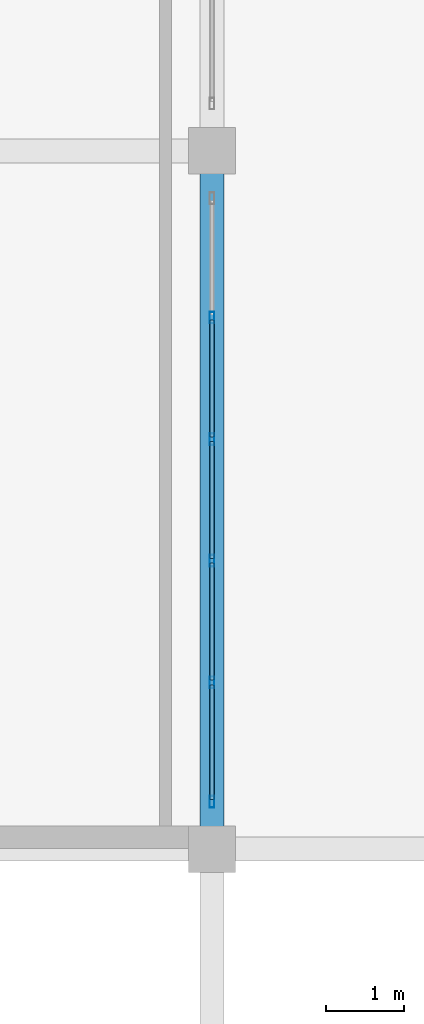
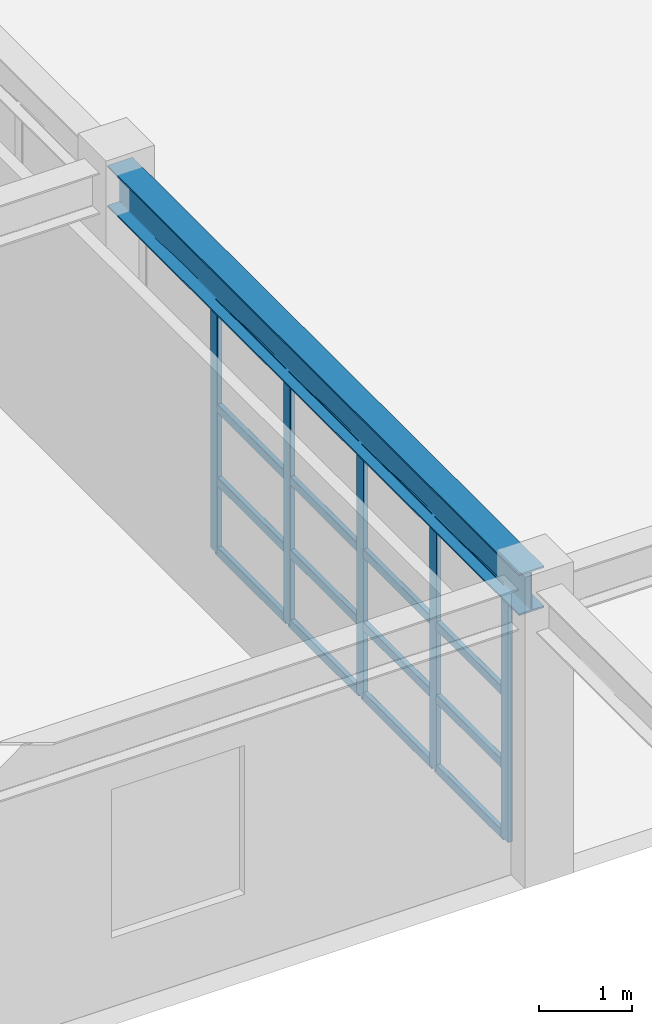
# One storey, part 11 of 110: 21 members, 1 beam, 1 element without a shape of its own.
"""IFC4 building model written with IfcOpenShell, lengths in metres."""

from ifc_helpers import new_model, si_unit, direction, frame, origin, origin_2d, place, context, subcontext, project, spatial, hollow_rectangle, i_section, extrude, material, material_profile, profile_set, type_object, element, aggregate, save


model = new_model("IFC4")

# Units and contexts
model_context = context("Model", 3, precision=1e-05, world=origin(), true_north=direction((0.0, 1.0)))
body_context = subcontext(model_context, "Body", "Model", "MODEL_VIEW")
ifc_project = project(units=[si_unit("LENGTHUNIT", "METRE"), si_unit("AREAUNIT", "SQUARE_METRE"), si_unit("VOLUMEUNIT", "CUBIC_METRE"), si_unit("PLANEANGLEUNIT", "RADIAN"), si_unit("MASSUNIT", "GRAM", prefix="KILO")], contexts=[model_context])

# Site, building, storey
site_placement = place(None, origin())
site = spatial("IfcSite", under=ifc_project, at=site_placement, CompositionType="ELEMENT")
building_placement = place(site_placement, origin())
building = spatial("IfcBuilding", under=site, at=building_placement, Name="Miravela Opera House", CompositionType="ELEMENT")
storey_placement = place(building_placement, frame((0.0, 0.0, 13.60009765625)))
storey = spatial("IfcBuildingStorey", under=building, at=storey_placement, Name="L03", CompositionType="ELEMENT", Elevation=13.60009765625)

# Curtain wall, members
ifc_material_1 = material(Name="Anodised architectural bronze aluminium 6063-T6", Category="aluminium")
curtain_wall_type = type_object("IfcCurtainWallType", Name="ARC-CW-06", PredefinedType="NOTDEFINED", material=ifc_material_1)
curtain_wall_placement = place(storey_placement, origin())
curtain_wall = element("IfcCurtainWall", 1, at=curtain_wall_placement, inside=storey, type_object=curtain_wall_type, Name="Courtyard Arcade Curtain Wall CW-L03-152", PredefinedType="NOTDEFINED")
ifc_material_profile_1 = material_profile(ifc_material_1, hollow_rectangle(XDim=0.06005859375, YDim=0.14990234375, WallThickness=0.00390625, InnerFilletRadius=0.001953125, OuterFilletRadius=0.00390625, at=origin_2d()), Name="CWM-60X150")
ifc_profile_set_1 = profile_set([ifc_material_profile_1])
member_type_1 = type_object("IfcMemberType", Name="ARC-CWM-150", PredefinedType="MULLION", material=ifc_profile_set_1)
member_1_placement = place(storey_placement, frame((27.0, 9.610107421875, 0.0), z_axis=(0.0, 0.0, 1.0), x_axis=(-1.0, 0.0, 0.0)))
member_1 = element("IfcMember", 2, at=member_1_placement, type_object=member_type_1, Name="CW-06 mullion 1", PredefinedType="MULLION", context=body_context, shape_type="SweptSolid", body=[
    extrude(hollow_rectangle(XDim=0.06005859375, YDim=0.14990234375, WallThickness=0.00390625, InnerFilletRadius=0.001953125, OuterFilletRadius=0.00390625, at=origin_2d()), origin(), (0.0, 0.0, 1.0), 3.289794921875),
])
member_2_placement = place(storey_placement, frame((27.0, 11.14794921875, 0.0), z_axis=(0.0, 0.0, 1.0), x_axis=(-1.0, 0.0, 0.0)))
member_2 = element("IfcMember", 3, at=member_2_placement, type_object=member_type_1, Name="CW-06 mullion 2", PredefinedType="MULLION", context=body_context, shape_type="SweptSolid", body=[
    extrude(hollow_rectangle(XDim=0.06005859375, YDim=0.14990234375, WallThickness=0.00390625, InnerFilletRadius=0.001953125, OuterFilletRadius=0.00390625, at=origin_2d()), origin(), (0.0, 0.0, 1.0), 3.289794921875),
])
member_3_placement = place(storey_placement, frame((27.0, 12.716064453125, 0.0), z_axis=(0.0, 0.0, 1.0), x_axis=(-1.0, 0.0, 0.0)))
member_3 = element("IfcMember", 4, at=member_3_placement, type_object=member_type_1, Name="CW-06 mullion 3", PredefinedType="MULLION", context=body_context, shape_type="SweptSolid", body=[
    extrude(hollow_rectangle(XDim=0.06005859375, YDim=0.14990234375, WallThickness=0.00390625, InnerFilletRadius=0.001953125, OuterFilletRadius=0.00390625, at=origin_2d()), origin(), (0.0, 0.0, 1.0), 3.289794921875),
])
member_4_placement = place(storey_placement, frame((27.0, 14.283935546875, 0.0), z_axis=(0.0, 0.0, 1.0), x_axis=(-1.0, 0.0, 0.0)))
member_4 = element("IfcMember", 5, at=member_4_placement, type_object=member_type_1, Name="CW-06 mullion 4", PredefinedType="MULLION", context=body_context, shape_type="SweptSolid", body=[
    extrude(hollow_rectangle(XDim=0.06005859375, YDim=0.14990234375, WallThickness=0.00390625, InnerFilletRadius=0.001953125, OuterFilletRadius=0.00390625, at=origin_2d()), origin(), (0.0, 0.0, 1.0), 3.289794921875),
])
member_5_placement = place(storey_placement, frame((27.0, 15.85205078125, 0.0), z_axis=(0.0, 0.0, 1.0), x_axis=(-1.0, 0.0, 0.0)))
member_5 = element("IfcMember", 6, at=member_5_placement, type_object=member_type_1, Name="CW-06 mullion 5", PredefinedType="MULLION", context=body_context, shape_type="SweptSolid", body=[
    extrude(hollow_rectangle(XDim=0.06005859375, YDim=0.14990234375, WallThickness=0.00390625, InnerFilletRadius=0.001953125, OuterFilletRadius=0.00390625, at=origin_2d()), origin(), (0.0, 0.0, 1.0), 3.289794921875),
])
ifc_material_profile_2 = material_profile(ifc_material_1, hollow_rectangle(XDim=0.06005859375, YDim=0.114990234375, WallThickness=0.00390625, InnerFilletRadius=0.001953125, OuterFilletRadius=0.00390625, at=origin_2d()), Name="CWT-60X115")
ifc_profile_set_2 = profile_set([ifc_material_profile_2])
member_type_2 = type_object("IfcMemberType", Name="ARC-CWT-115", PredefinedType="USERDEFINED", material=ifc_profile_set_2)
member_6_placement = place(storey_placement, frame((27.0, 9.639892578125, 0.02978515625), z_axis=(0.0, 1.0, 0.0), x_axis=(-1.0, 0.0, 0.0)))
member_6 = element("IfcMember", 7, at=member_6_placement, type_object=member_type_2, Name="CW-06 transom 1.1", ObjectType="TRANSOM", PredefinedType="USERDEFINED", context=body_context, shape_type="SweptSolid", body=[
    extrude(hollow_rectangle(XDim=0.06005859375, YDim=0.114990234375, WallThickness=0.00390625, InnerFilletRadius=0.001953125, OuterFilletRadius=0.00390625, at=origin_2d()), origin(), (0.0, 0.0, 1.0), 1.47802734375),
])
member_7_placement = place(storey_placement, frame((27.0, 9.639892578125, 0.949951171875), z_axis=(0.0, 1.0, 0.0), x_axis=(-1.0, 0.0, 0.0)))
member_7 = element("IfcMember", 8, at=member_7_placement, type_object=member_type_2, Name="CW-06 transom 1.2", ObjectType="TRANSOM", PredefinedType="USERDEFINED", context=body_context, shape_type="SweptSolid", body=[
    extrude(hollow_rectangle(XDim=0.06005859375, YDim=0.114990234375, WallThickness=0.00390625, InnerFilletRadius=0.001953125, OuterFilletRadius=0.00390625, at=origin_2d()), origin(), (0.0, 0.0, 1.0), 1.47802734375),
])
member_8_placement = place(storey_placement, frame((27.0, 9.639892578125, 1.908203125), z_axis=(0.0, 1.0, 0.0), x_axis=(-1.0, 0.0, 0.0)))
member_8 = element("IfcMember", 9, at=member_8_placement, type_object=member_type_2, Name="CW-06 transom 1.3", ObjectType="TRANSOM", PredefinedType="USERDEFINED", context=body_context, shape_type="SweptSolid", body=[
    extrude(hollow_rectangle(XDim=0.06005859375, YDim=0.114990234375, WallThickness=0.00390625, InnerFilletRadius=0.001953125, OuterFilletRadius=0.00390625, at=origin_2d()), origin(), (0.0, 0.0, 1.0), 1.47802734375),
])
member_9_placement = place(storey_placement, frame((27.0, 9.639892578125, 3.260009765625), z_axis=(0.0, 1.0, 0.0), x_axis=(-1.0, 0.0, 0.0)))
member_9 = element("IfcMember", 10, at=member_9_placement, type_object=member_type_2, Name="CW-06 transom 1.4", ObjectType="TRANSOM", PredefinedType="USERDEFINED", context=body_context, shape_type="SweptSolid", body=[
    extrude(hollow_rectangle(XDim=0.06005859375, YDim=0.114990234375, WallThickness=0.00390625, InnerFilletRadius=0.001953125, OuterFilletRadius=0.00390625, at=origin_2d()), origin(), (0.0, 0.0, 1.0), 1.47802734375),
])
member_10_placement = place(storey_placement, frame((27.0, 11.177978515625, 0.02978515625), z_axis=(0.0, 1.0, 0.0), x_axis=(-1.0, 0.0, 0.0)))
member_10 = element("IfcMember", 11, at=member_10_placement, type_object=member_type_2, Name="CW-06 transom 2.1", ObjectType="TRANSOM", PredefinedType="USERDEFINED", context=body_context, shape_type="SweptSolid", body=[
    extrude(hollow_rectangle(XDim=0.06005859375, YDim=0.114990234375, WallThickness=0.00390625, InnerFilletRadius=0.001953125, OuterFilletRadius=0.00390625, at=origin_2d()), origin(), (0.0, 0.0, 1.0), 1.508056640625),
])
member_11_placement = place(storey_placement, frame((27.0, 11.177978515625, 0.949951171875), z_axis=(0.0, 1.0, 0.0), x_axis=(-1.0, 0.0, 0.0)))
member_11 = element("IfcMember", 12, at=member_11_placement, type_object=member_type_2, Name="CW-06 transom 2.2", ObjectType="TRANSOM", PredefinedType="USERDEFINED", context=body_context, shape_type="SweptSolid", body=[
    extrude(hollow_rectangle(XDim=0.06005859375, YDim=0.114990234375, WallThickness=0.00390625, InnerFilletRadius=0.001953125, OuterFilletRadius=0.00390625, at=origin_2d()), origin(), (0.0, 0.0, 1.0), 1.508056640625),
])
member_12_placement = place(storey_placement, frame((27.0, 11.177978515625, 1.908203125), z_axis=(0.0, 1.0, 0.0), x_axis=(-1.0, 0.0, 0.0)))
member_12 = element("IfcMember", 13, at=member_12_placement, type_object=member_type_2, Name="CW-06 transom 2.3", ObjectType="TRANSOM", PredefinedType="USERDEFINED", context=body_context, shape_type="SweptSolid", body=[
    extrude(hollow_rectangle(XDim=0.06005859375, YDim=0.114990234375, WallThickness=0.00390625, InnerFilletRadius=0.001953125, OuterFilletRadius=0.00390625, at=origin_2d()), origin(), (0.0, 0.0, 1.0), 1.508056640625),
])
member_13_placement = place(storey_placement, frame((27.0, 11.177978515625, 3.260009765625), z_axis=(0.0, 1.0, 0.0), x_axis=(-1.0, 0.0, 0.0)))
member_13 = element("IfcMember", 14, at=member_13_placement, type_object=member_type_2, Name="CW-06 transom 2.4", ObjectType="TRANSOM", PredefinedType="USERDEFINED", context=body_context, shape_type="SweptSolid", body=[
    extrude(hollow_rectangle(XDim=0.06005859375, YDim=0.114990234375, WallThickness=0.00390625, InnerFilletRadius=0.001953125, OuterFilletRadius=0.00390625, at=origin_2d()), origin(), (0.0, 0.0, 1.0), 1.508056640625),
])
member_14_placement = place(storey_placement, frame((27.0, 12.74609375, 0.02978515625), z_axis=(0.0, 1.0, 0.0), x_axis=(-1.0, 0.0, 0.0)))
member_14 = element("IfcMember", 15, at=member_14_placement, type_object=member_type_2, Name="CW-06 transom 3.1", ObjectType="TRANSOM", PredefinedType="USERDEFINED", context=body_context, shape_type="SweptSolid", body=[
    extrude(hollow_rectangle(XDim=0.06005859375, YDim=0.114990234375, WallThickness=0.00390625, InnerFilletRadius=0.001953125, OuterFilletRadius=0.00390625, at=origin_2d()), origin(), (0.0, 0.0, 1.0), 1.5078125),
])
member_15_placement = place(storey_placement, frame((27.0, 12.74609375, 0.949951171875), z_axis=(0.0, 1.0, 0.0), x_axis=(-1.0, 0.0, 0.0)))
member_15 = element("IfcMember", 16, at=member_15_placement, type_object=member_type_2, Name="CW-06 transom 3.2", ObjectType="TRANSOM", PredefinedType="USERDEFINED", context=body_context, shape_type="SweptSolid", body=[
    extrude(hollow_rectangle(XDim=0.06005859375, YDim=0.114990234375, WallThickness=0.00390625, InnerFilletRadius=0.001953125, OuterFilletRadius=0.00390625, at=origin_2d()), origin(), (0.0, 0.0, 1.0), 1.5078125),
])
member_16_placement = place(storey_placement, frame((27.0, 12.74609375, 1.908203125), z_axis=(0.0, 1.0, 0.0), x_axis=(-1.0, 0.0, 0.0)))
member_16 = element("IfcMember", 17, at=member_16_placement, type_object=member_type_2, Name="CW-06 transom 3.3", ObjectType="TRANSOM", PredefinedType="USERDEFINED", context=body_context, shape_type="SweptSolid", body=[
    extrude(hollow_rectangle(XDim=0.06005859375, YDim=0.114990234375, WallThickness=0.00390625, InnerFilletRadius=0.001953125, OuterFilletRadius=0.00390625, at=origin_2d()), origin(), (0.0, 0.0, 1.0), 1.5078125),
])
member_17_placement = place(storey_placement, frame((27.0, 12.74609375, 3.260009765625), z_axis=(0.0, 1.0, 0.0), x_axis=(-1.0, 0.0, 0.0)))
member_17 = element("IfcMember", 18, at=member_17_placement, type_object=member_type_2, Name="CW-06 transom 3.4", ObjectType="TRANSOM", PredefinedType="USERDEFINED", context=body_context, shape_type="SweptSolid", body=[
    extrude(hollow_rectangle(XDim=0.06005859375, YDim=0.114990234375, WallThickness=0.00390625, InnerFilletRadius=0.001953125, OuterFilletRadius=0.00390625, at=origin_2d()), origin(), (0.0, 0.0, 1.0), 1.5078125),
])
member_18_placement = place(storey_placement, frame((27.0, 14.31396484375, 0.02978515625), z_axis=(0.0, 1.0, 0.0), x_axis=(-1.0, 0.0, 0.0)))
member_18 = element("IfcMember", 19, at=member_18_placement, type_object=member_type_2, Name="CW-06 transom 4.1", ObjectType="TRANSOM", PredefinedType="USERDEFINED", context=body_context, shape_type="SweptSolid", body=[
    extrude(hollow_rectangle(XDim=0.06005859375, YDim=0.114990234375, WallThickness=0.00390625, InnerFilletRadius=0.001953125, OuterFilletRadius=0.00390625, at=origin_2d()), origin(), (0.0, 0.0, 1.0), 1.508056640625),
])
member_19_placement = place(storey_placement, frame((27.0, 14.31396484375, 0.949951171875), z_axis=(0.0, 1.0, 0.0), x_axis=(-1.0, 0.0, 0.0)))
member_19 = element("IfcMember", 20, at=member_19_placement, type_object=member_type_2, Name="CW-06 transom 4.2", ObjectType="TRANSOM", PredefinedType="USERDEFINED", context=body_context, shape_type="SweptSolid", body=[
    extrude(hollow_rectangle(XDim=0.06005859375, YDim=0.114990234375, WallThickness=0.00390625, InnerFilletRadius=0.001953125, OuterFilletRadius=0.00390625, at=origin_2d()), origin(), (0.0, 0.0, 1.0), 1.508056640625),
])
member_20_placement = place(storey_placement, frame((27.0, 14.31396484375, 1.908203125), z_axis=(0.0, 1.0, 0.0), x_axis=(-1.0, 0.0, 0.0)))
member_20 = element("IfcMember", 21, at=member_20_placement, type_object=member_type_2, Name="CW-06 transom 4.3", ObjectType="TRANSOM", PredefinedType="USERDEFINED", context=body_context, shape_type="SweptSolid", body=[
    extrude(hollow_rectangle(XDim=0.06005859375, YDim=0.114990234375, WallThickness=0.00390625, InnerFilletRadius=0.001953125, OuterFilletRadius=0.00390625, at=origin_2d()), origin(), (0.0, 0.0, 1.0), 1.508056640625),
])
member_21_placement = place(storey_placement, frame((27.0, 14.31396484375, 3.260009765625), z_axis=(0.0, 1.0, 0.0), x_axis=(-1.0, 0.0, 0.0)))
member_21 = element("IfcMember", 22, at=member_21_placement, type_object=member_type_2, Name="CW-06 transom 4.4", ObjectType="TRANSOM", PredefinedType="USERDEFINED", context=body_context, shape_type="SweptSolid", body=[
    extrude(hollow_rectangle(XDim=0.06005859375, YDim=0.114990234375, WallThickness=0.00390625, InnerFilletRadius=0.001953125, OuterFilletRadius=0.00390625, at=origin_2d()), origin(), (0.0, 0.0, 1.0), 1.508056640625),
])
aggregate(curtain_wall, [member_1, member_2, member_3, member_4, member_5, member_6, member_7, member_8, member_9, member_10, member_11, member_12, member_13, member_14, member_15, member_16, member_17, member_18, member_19, member_20, member_21])

# Beam
ifc_material_2 = material(Name="Structural steel ASTM A992 Gr. 50", Category="steel")
ifc_material_profile_3 = material_profile(ifc_material_2, i_section(OverallWidth=0.31201171875, OverallDepth=0.54296875, WebThickness=0.0126953125, FlangeThickness=0.020263671875, FilletRadius=0.01611328125, at=origin_2d()), Name="W530X150")
ifc_profile_set_3 = profile_set([ifc_material_profile_3])
beam_type = type_object("IfcBeamType", Name="STR-BM-W530X150", PredefinedType="BEAM", material=ifc_profile_set_3)
beam_placement = place(storey_placement, frame((27.0, 9.080078125, 3.568359375), z_axis=(0.0, 1.0, 0.0), x_axis=(-1.0, 0.0, 0.0)))
element("IfcBeam", 23, at=beam_placement, inside=storey, type_object=beam_type, Name="Roof Eave Girder ROOF-V4-WEST-M E1", PredefinedType="BEAM", context=body_context, shape_type="SweptSolid", body=[
    extrude(i_section(OverallWidth=0.31201171875, OverallDepth=0.54296875, WebThickness=0.0126953125, FlangeThickness=0.020263671875, FilletRadius=0.01611328125, at=origin_2d()), origin(), (0.0, 0.0, 1.0), 8.83984375),
])

save(model, "model.ifc")
